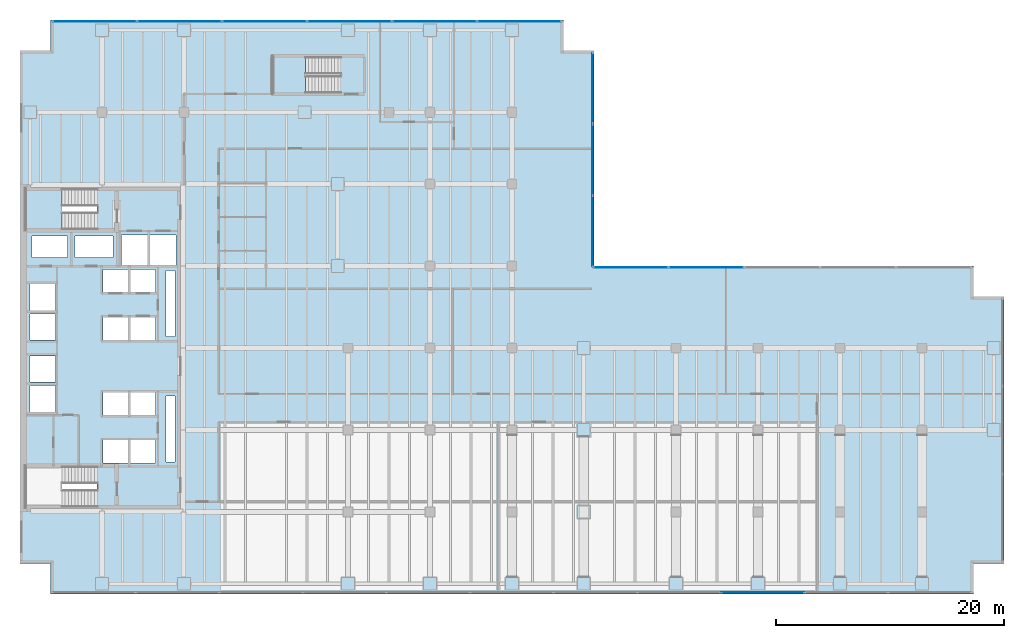
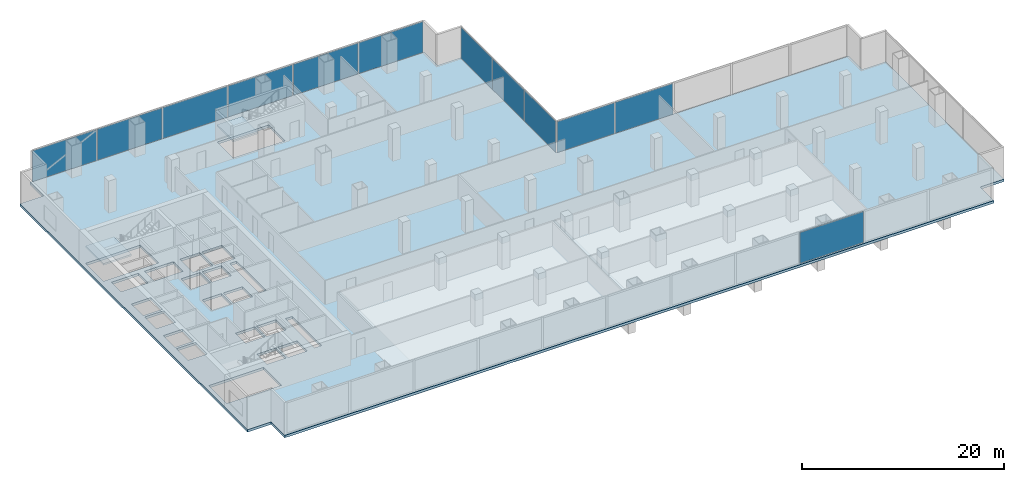
# One storey, part 24 of 34: 12 plates, 3 slabs, 21 openings, 6 elements without a shape of their own.
"""IFC4 building model written with IfcOpenShell, lengths in metres."""

from ifc_helpers import new_model, si_unit, direction, frame, origin, origin_2d, place, context, subcontext, project, spatial, polyline, rectangle, outline, extrude, material, layer, layer_set, type_object, element, aggregate, save


model = new_model("IFC4")

# Units and contexts
model_context = context("Model", 3, precision=1e-05, world=origin(), true_north=direction((0.0, 1.0)))
body_context = subcontext(model_context, "Body", "Model", "MODEL_VIEW")
ifc_project = project(units=[si_unit("LENGTHUNIT", "METRE"), si_unit("AREAUNIT", "SQUARE_METRE"), si_unit("VOLUMEUNIT", "CUBIC_METRE"), si_unit("PLANEANGLEUNIT", "RADIAN"), si_unit("MASSUNIT", "GRAM", prefix="KILO")], contexts=[model_context])

# Site, building, storey
site_placement = place(None, origin())
site = spatial("IfcSite", under=ifc_project, at=site_placement, CompositionType="ELEMENT")
building_placement = place(site_placement, origin())
building = spatial("IfcBuilding", under=site, at=building_placement, Name="Cobrela Telecom Tower", CompositionType="ELEMENT")
storey_placement = place(building_placement, frame((0.0, 0.0, 5.25)))
storey = spatial("IfcBuildingStorey", under=building, at=storey_placement, Name="L01", CompositionType="ELEMENT", Elevation=5.25)

# Curtain wall, plates
ifc_material_1 = material(Name="Anodized Bronze Aluminium 6063-T6", Category="aluminium")
curtain_wall_type = type_object("IfcCurtainWallType", Name="CW-SYS-CONC", PredefinedType="USERDEFINED", material=ifc_material_1)
curtain_wall_1_placement = place(storey_placement, origin())
curtain_wall_1 = element("IfcCurtainWall", 1, at=curtain_wall_1_placement, inside=storey, type_object=curtain_wall_type, Name="L01 Unitised Bronze Curtain Wall 07", ObjectType="UNITISED CURTAIN WALL", PredefinedType="USERDEFINED")
ifc_material_2 = material(Name="Solar-Control Bronze Low-E Glass", Category="glass")
ifc_layer_1 = layer(ifc_material_2, 0.0419921875)
ifc_layer_set_1 = layer_set([ifc_layer_1], Name="Solar-Control Bronze Low-E Glass")
plate_type = type_object("IfcPlateType", Name="CW-SYS-CONC-PNL", PredefinedType="CURTAIN_PANEL", material=ifc_layer_set_1)
plate_1_placement = place(storey_placement, frame((6.570068359375, 50.280029296875, 0.080078125), z_axis=(0.0, 0.0, 1.0), x_axis=(1.0, 0.0, 0.0)))
plate_1 = element("IfcPlate", 2, at=plate_1_placement, type_object=plate_type, Name="CW-CONC panel 1.1", PredefinedType="CURTAIN_PANEL", context=body_context, shape_type="SweptSolid", body=[
    extrude(rectangle(XDim=7.340087890625, YDim=0.0419921875, at=origin_2d()), origin(), (0.0, 0.0, 1.0), 3.739990234375),
])
plate_2_placement = place(storey_placement, frame((14.010009765625, 50.280029296875, 0.080078125), z_axis=(0.0, 0.0, 1.0), x_axis=(1.0, 0.0, 0.0)))
plate_2 = element("IfcPlate", 3, at=plate_2_placement, type_object=plate_type, Name="CW-CONC panel 2.1", PredefinedType="CURTAIN_PANEL", context=body_context, shape_type="SweptSolid", body=[
    extrude(rectangle(XDim=7.3798828125, YDim=0.0419921875, at=origin_2d()), origin(), (0.0, 0.0, 1.0), 3.739990234375),
])
plate_3_placement = place(storey_placement, frame((21.469970703125, 50.280029296875, 0.080078125), z_axis=(0.0, 0.0, 1.0), x_axis=(1.0, 0.0, 0.0)))
plate_3 = element("IfcPlate", 4, at=plate_3_placement, type_object=plate_type, Name="CW-CONC panel 3.1", PredefinedType="CURTAIN_PANEL", context=body_context, shape_type="SweptSolid", body=[
    extrude(rectangle(XDim=7.3798828125, YDim=0.0419921875, at=origin_2d()), origin(), (0.0, 0.0, 1.0), 3.739990234375),
])
plate_4_placement = place(storey_placement, frame((28.929931640625, 50.280029296875, 0.080078125), z_axis=(0.0, 0.0, 1.0), x_axis=(1.0, 0.0, 0.0)))
plate_4 = element("IfcPlate", 5, at=plate_4_placement, type_object=plate_type, Name="CW-CONC panel 4.1", PredefinedType="CURTAIN_PANEL", context=body_context, shape_type="SweptSolid", body=[
    extrude(rectangle(XDim=7.3798828125, YDim=0.0419921875, at=origin_2d()), origin(), (0.0, 0.0, 1.0), 3.739990234375),
])
plate_5_placement = place(storey_placement, frame((36.389892578125, 50.280029296875, 0.080078125), z_axis=(0.0, 0.0, 1.0), x_axis=(1.0, 0.0, 0.0)))
plate_5 = element("IfcPlate", 6, at=plate_5_placement, type_object=plate_type, Name="CW-CONC panel 5.1", PredefinedType="CURTAIN_PANEL", context=body_context, shape_type="SweptSolid", body=[
    extrude(rectangle(XDim=7.3798828125, YDim=0.0419921875, at=origin_2d()), origin(), (0.0, 0.0, 1.0), 3.739990234375),
])
plate_6_placement = place(storey_placement, frame((43.830078125, 50.280029296875, 0.080078125), z_axis=(0.0, 0.0, 1.0), x_axis=(1.0, 0.0, 0.0)))
plate_6 = element("IfcPlate", 7, at=plate_6_placement, type_object=plate_type, Name="CW-CONC panel 6.1", PredefinedType="CURTAIN_PANEL", context=body_context, shape_type="SweptSolid", body=[
    extrude(rectangle(XDim=7.340087890625, YDim=0.0419921875, at=origin_2d()), origin(), (0.0, 0.0, 1.0), 3.739990234375),
])
aggregate(curtain_wall_1, [plate_1, plate_2, plate_3, plate_4, plate_5, plate_6])

curtain_wall_2_placement = place(storey_placement, origin())
curtain_wall_2 = element("IfcCurtainWall", 8, at=curtain_wall_2_placement, inside=storey, type_object=curtain_wall_type, Name="L01 Unitised Bronze Curtain Wall 10", ObjectType="UNITISED CURTAIN WALL", PredefinedType="USERDEFINED")
plate_7_placement = place(storey_placement, frame((50.280029296875, 44.409912109375, 0.080078125), z_axis=(0.0, 0.0, 1.0), x_axis=(0.0, -1.0, 0.0)))
plate_7 = element("IfcPlate", 9, at=plate_7_placement, type_object=plate_type, Name="CW-CONC panel 1.1", PredefinedType="CURTAIN_PANEL", context=body_context, shape_type="SweptSolid", body=[
    extrude(rectangle(XDim=6.179931640625, YDim=0.0419921875, at=origin_2d()), origin(), (0.0, 0.0, 1.0), 3.739990234375),
])
plate_8_placement = place(storey_placement, frame((50.280029296875, 38.1298828125, 0.080078125), z_axis=(0.0, 0.0, 1.0), x_axis=(0.0, -1.0, 0.0)))
plate_8 = element("IfcPlate", 10, at=plate_8_placement, type_object=plate_type, Name="CW-CONC panel 2.1", PredefinedType="CURTAIN_PANEL", context=body_context, shape_type="SweptSolid", body=[
    extrude(rectangle(XDim=6.219970703125, YDim=0.0419921875, at=origin_2d()), origin(), (0.0, 0.0, 1.0), 3.739990234375),
])
plate_9_placement = place(storey_placement, frame((50.280029296875, 31.85009765625, 0.080078125), z_axis=(0.0, 0.0, 1.0), x_axis=(0.0, -1.0, 0.0)))
plate_9 = element("IfcPlate", 11, at=plate_9_placement, type_object=plate_type, Name="CW-CONC panel 3.1", PredefinedType="CURTAIN_PANEL", context=body_context, shape_type="SweptSolid", body=[
    extrude(rectangle(XDim=6.179931640625, YDim=0.0419921875, at=origin_2d()), origin(), (0.0, 0.0, 1.0), 3.739990234375),
])
aggregate(curtain_wall_2, [plate_7, plate_8, plate_9])

curtain_wall_3_placement = place(storey_placement, origin())
curtain_wall_3 = element("IfcCurtainWall", 12, at=curtain_wall_3_placement, inside=storey, type_object=curtain_wall_type, Name="L01 Unitised Bronze Curtain Wall 11", ObjectType="UNITISED CURTAIN WALL", PredefinedType="USERDEFINED")
plate_10_placement = place(storey_placement, frame((53.6298828125, 28.679931640625, 0.080078125), z_axis=(0.0, 0.0, 1.0), x_axis=(1.0, 0.0, 0.0)))
plate_10 = element("IfcPlate", 13, at=plate_10_placement, type_object=plate_type, Name="CW-CONC panel 1.1", PredefinedType="CURTAIN_PANEL", context=body_context, shape_type="SweptSolid", body=[
    extrude(rectangle(XDim=6.5400390625, YDim=0.0419921875, at=origin_2d()), origin(), (0.0, 0.0, 1.0), 3.739990234375),
])
plate_11_placement = place(storey_placement, frame((60.27001953125, 28.679931640625, 0.080078125), z_axis=(0.0, 0.0, 1.0), x_axis=(1.0, 0.0, 0.0)))
plate_11 = element("IfcPlate", 14, at=plate_11_placement, type_object=plate_type, Name="CW-CONC panel 2.1", PredefinedType="CURTAIN_PANEL", context=body_context, shape_type="SweptSolid", body=[
    extrude(rectangle(XDim=6.580078125, YDim=0.0419921875, at=origin_2d()), origin(), (0.0, 0.0, 1.0), 3.739990234375),
])
aggregate(curtain_wall_3, [plate_10, plate_11])

# Curtain wall, plate
curtain_wall_4_placement = place(storey_placement, origin())
curtain_wall_4 = element("IfcCurtainWall", 15, at=curtain_wall_4_placement, inside=storey, type_object=curtain_wall_type, Name="L01 Unitised Bronze Curtain Wall 17", ObjectType="UNITISED CURTAIN WALL", PredefinedType="USERDEFINED")
plate_12_placement = place(storey_placement, frame((65.225341796875, 0.1201171875, 0.080078125), z_axis=(0.0, 0.0, 1.0), x_axis=(-1.0, 0.0, 0.0)))
plate_12 = element("IfcPlate", 16, at=plate_12_placement, type_object=plate_type, Name="CW-CONC panel 3.1", PredefinedType="CURTAIN_PANEL", context=body_context, shape_type="SweptSolid", body=[
    extrude(rectangle(XDim=7.26171875, YDim=0.0419921875, at=origin_2d()), origin(), (0.0, 0.0, 1.0), 3.739990234375),
])
aggregate(curtain_wall_4, [plate_12])

# Slab, openings
ifc_material_3 = material(Name="Concrete C40/50", Category="concrete")
ifc_layer_2 = layer(ifc_material_3, 0.300048828125)
ifc_layer_set_2 = layer_set([ifc_layer_2], Name="Concrete C40/50")
slab_type_1 = type_object("IfcSlabType", Name="SLAB-FLR-300", PredefinedType="FLOOR", material=ifc_layer_set_2)
slab_1_placement = place(storey_placement, frame((0.0, 0.0, -0.300048828125)))
slab_1 = element("IfcSlab", 17, at=slab_1_placement, inside=storey, type_object=slab_type_1, Name="L01 Structural Floor Slab", PredefinedType="FLOOR", context=body_context, shape_type="SweptSolid", body=[
    extrude(outline(polyline([(2.699951171875, 0.0), (83.699951171875, 0.0), (83.699951171875, 2.699951171875), (86.39990234375, 2.699951171875), (86.39990234375, 26.10009765625), (83.699951171875, 26.10009765625), (83.699951171875, 28.800048828125), (50.39990234375, 28.800048828125), (50.39990234375, 47.699951171875), (47.699951171875, 47.699951171875), (47.699951171875, 50.39990234375), (2.699951171875, 50.39990234375), (2.699951171875, 47.699951171875), (0.0, 47.699951171875), (0.0, 2.699951171875), (2.699951171875, 2.699951171875), (2.699951171875, 0.0)])), origin(), (0.0, 0.0, 1.0), 0.300048828125),
])
opening_1_placement = place(slab_1_placement, frame((0.0, 0.0, -0.02001953125)))
element("IfcOpeningElement", 18, at=opening_1_placement, cuts=slab_1, Name="Slab Shaft Opening SLAB-L01-MAIN.1", PredefinedType="OPENING", context=body_context, shape_type="SweptSolid", body=[
    extrude(outline(polyline([(8.89990234375, 28.89990234375), (11.199951171875, 28.89990234375), (11.199951171875, 31.5), (8.89990234375, 31.5), (8.89990234375, 28.89990234375)])), origin(), (0.0, 0.0, 1.0), 0.340087890625),
])
opening_2_placement = place(slab_1_placement, frame((0.0, 0.0, -0.02001953125)))
element("IfcOpeningElement", 19, at=opening_2_placement, cuts=slab_1, Name="Slab Shaft Opening SLAB-L01-MAIN.2", PredefinedType="OPENING", context=body_context, shape_type="SweptSolid", body=[
    extrude(outline(polyline([(11.39990234375, 28.89990234375), (13.699951171875, 28.89990234375), (13.699951171875, 31.5), (11.39990234375, 31.5), (11.39990234375, 28.89990234375)])), origin(), (0.0, 0.0, 1.0), 0.340087890625),
])
opening_3_placement = place(slab_1_placement, frame((0.0, 0.0, -0.02001953125)))
element("IfcOpeningElement", 20, at=opening_3_placement, cuts=slab_1, Name="Slab Shaft Opening SLAB-L01-MAIN.3", PredefinedType="OPENING", context=body_context, shape_type="SweptSolid", body=[
    extrude(outline(polyline([(7.300048828125, 22.300048828125), (9.5, 22.300048828125), (9.5, 24.300048828125), (7.300048828125, 24.300048828125), (7.300048828125, 22.300048828125)])), origin(), (0.0, 0.0, 1.0), 0.340087890625),
])
opening_4_placement = place(slab_1_placement, frame((0.0, 0.0, -0.02001953125)))
element("IfcOpeningElement", 21, at=opening_4_placement, cuts=slab_1, Name="Slab Shaft Opening SLAB-L01-MAIN.4", PredefinedType="OPENING", context=body_context, shape_type="SweptSolid", body=[
    extrude(outline(polyline([(9.699951171875, 22.300048828125), (11.89990234375, 22.300048828125), (11.89990234375, 24.300048828125), (9.699951171875, 24.300048828125), (9.699951171875, 22.300048828125)])), origin(), (0.0, 0.0, 1.0), 0.340087890625),
])
opening_5_placement = place(slab_1_placement, frame((0.0, 0.0, -0.02001953125)))
element("IfcOpeningElement", 22, at=opening_5_placement, cuts=slab_1, Name="Slab Shaft Opening SLAB-L01-MAIN.5", PredefinedType="OPENING", context=body_context, shape_type="SweptSolid", body=[
    extrude(outline(polyline([(7.300048828125, 26.5), (9.5, 26.5), (9.5, 28.5), (7.300048828125, 28.5), (7.300048828125, 26.5)])), origin(), (0.0, 0.0, 1.0), 0.340087890625),
])
opening_6_placement = place(slab_1_placement, frame((0.0, 0.0, -0.02001953125)))
element("IfcOpeningElement", 23, at=opening_6_placement, cuts=slab_1, Name="Slab Shaft Opening SLAB-L01-MAIN.6", PredefinedType="OPENING", context=body_context, shape_type="SweptSolid", body=[
    extrude(outline(polyline([(9.699951171875, 26.5), (11.89990234375, 26.5), (11.89990234375, 28.5), (9.699951171875, 28.5), (9.699951171875, 26.5)])), origin(), (0.0, 0.0, 1.0), 0.340087890625),
])
opening_7_placement = place(slab_1_placement, frame((0.0, 0.0, -0.02001953125)))
element("IfcOpeningElement", 24, at=opening_7_placement, cuts=slab_1, Name="Slab Shaft Opening SLAB-L01-MAIN.7", PredefinedType="OPENING", context=body_context, shape_type="SweptSolid", body=[
    extrude(outline(polyline([(7.300048828125, 15.699951171875), (9.5, 15.699951171875), (9.5, 17.699951171875), (7.300048828125, 17.699951171875), (7.300048828125, 15.699951171875)])), origin(), (0.0, 0.0, 1.0), 0.340087890625),
])
opening_8_placement = place(slab_1_placement, frame((0.0, 0.0, -0.02001953125)))
element("IfcOpeningElement", 25, at=opening_8_placement, cuts=slab_1, Name="Slab Shaft Opening SLAB-L01-MAIN.8", PredefinedType="OPENING", context=body_context, shape_type="SweptSolid", body=[
    extrude(outline(polyline([(9.699951171875, 15.699951171875), (11.89990234375, 15.699951171875), (11.89990234375, 17.699951171875), (9.699951171875, 17.699951171875), (9.699951171875, 15.699951171875)])), origin(), (0.0, 0.0, 1.0), 0.340087890625),
])
opening_9_placement = place(slab_1_placement, frame((0.0, 0.0, -0.02001953125)))
element("IfcOpeningElement", 26, at=opening_9_placement, cuts=slab_1, Name="Slab Shaft Opening SLAB-L01-MAIN.9", PredefinedType="OPENING", context=body_context, shape_type="SweptSolid", body=[
    extrude(outline(polyline([(7.300048828125, 11.5), (9.5, 11.5), (9.5, 13.5), (7.300048828125, 13.5), (7.300048828125, 11.5)])), origin(), (0.0, 0.0, 1.0), 0.340087890625),
])
opening_10_placement = place(slab_1_placement, frame((0.0, 0.0, -0.02001953125)))
element("IfcOpeningElement", 27, at=opening_10_placement, cuts=slab_1, Name="Slab Shaft Opening SLAB-L01-MAIN.10", PredefinedType="OPENING", context=body_context, shape_type="SweptSolid", body=[
    extrude(outline(polyline([(9.699951171875, 11.5), (11.89990234375, 11.5), (11.89990234375, 13.5), (9.699951171875, 13.5), (9.699951171875, 11.5)])), origin(), (0.0, 0.0, 1.0), 0.340087890625),
])
opening_11_placement = place(slab_1_placement, frame((0.0, 0.0, -0.02001953125)))
element("IfcOpeningElement", 28, at=opening_11_placement, cuts=slab_1, Name="Slab Shaft Opening SLAB-L01-MAIN.11", PredefinedType="OPENING", context=body_context, shape_type="SweptSolid", body=[
    extrude(outline(polyline([(0.89990234375, 16.0), (3.10009765625, 16.0), (3.10009765625, 18.300048828125), (0.89990234375, 18.300048828125), (0.89990234375, 16.0)])), origin(), (0.0, 0.0, 1.0), 0.340087890625),
])
opening_12_placement = place(slab_1_placement, frame((0.0, 0.0, -0.02001953125)))
element("IfcOpeningElement", 29, at=opening_12_placement, cuts=slab_1, Name="Slab Shaft Opening SLAB-L01-MAIN.12", PredefinedType="OPENING", context=body_context, shape_type="SweptSolid", body=[
    extrude(outline(polyline([(0.89990234375, 18.60009765625), (3.10009765625, 18.60009765625), (3.10009765625, 20.89990234375), (0.89990234375, 20.89990234375), (0.89990234375, 18.60009765625)])), origin(), (0.0, 0.0, 1.0), 0.340087890625),
])
opening_13_placement = place(slab_1_placement, frame((0.0, 0.0, -0.02001953125)))
element("IfcOpeningElement", 30, at=opening_13_placement, cuts=slab_1, Name="Slab Shaft Opening SLAB-L01-MAIN.13", PredefinedType="OPENING", context=body_context, shape_type="SweptSolid", body=[
    extrude(outline(polyline([(0.89990234375, 22.300048828125), (3.10009765625, 22.300048828125), (3.10009765625, 24.60009765625), (0.89990234375, 24.60009765625), (0.89990234375, 22.300048828125)])), origin(), (0.0, 0.0, 1.0), 0.340087890625),
])
opening_14_placement = place(slab_1_placement, frame((0.0, 0.0, -0.02001953125)))
element("IfcOpeningElement", 31, at=opening_14_placement, cuts=slab_1, Name="Slab Shaft Opening SLAB-L01-MAIN.14", PredefinedType="OPENING", context=body_context, shape_type="SweptSolid", body=[
    extrude(outline(polyline([(0.89990234375, 24.89990234375), (3.10009765625, 24.89990234375), (3.10009765625, 27.199951171875), (0.89990234375, 27.199951171875), (0.89990234375, 24.89990234375)])), origin(), (0.0, 0.0, 1.0), 0.340087890625),
])
opening_15_placement = place(slab_1_placement, frame((0.0, 0.0, -0.02001953125)))
element("IfcOpeningElement", 32, at=opening_15_placement, cuts=slab_1, Name="Slab Shaft Opening SLAB-L01-MAIN.15", PredefinedType="OPENING", context=body_context, shape_type="SweptSolid", body=[
    extrude(outline(polyline([(1.050048828125, 29.550048828125), (4.14990234375, 29.550048828125), (4.14990234375, 31.449951171875), (1.050048828125, 31.449951171875), (1.050048828125, 29.550048828125)])), origin(), (0.0, 0.0, 1.0), 0.340087890625),
])
opening_16_placement = place(slab_1_placement, frame((0.0, 0.0, -0.02001953125)))
element("IfcOpeningElement", 33, at=opening_16_placement, cuts=slab_1, Name="Slab Shaft Opening SLAB-L01-MAIN.16", PredefinedType="OPENING", context=body_context, shape_type="SweptSolid", body=[
    extrude(outline(polyline([(4.85009765625, 29.550048828125), (8.14990234375, 29.550048828125), (8.14990234375, 31.449951171875), (4.85009765625, 31.449951171875), (4.85009765625, 29.550048828125)])), origin(), (0.0, 0.0, 1.0), 0.340087890625),
])
opening_17_placement = place(slab_1_placement, frame((0.0, 0.0, -0.02001953125)))
element("IfcOpeningElement", 34, at=opening_17_placement, cuts=slab_1, Name="Slab Shaft Opening SLAB-L01-MAIN.17", PredefinedType="OPENING", context=body_context, shape_type="SweptSolid", body=[
    extrude(outline(polyline([(12.800048828125, 22.60009765625), (13.60009765625, 22.60009765625), (13.60009765625, 28.39990234375), (12.800048828125, 28.39990234375), (12.800048828125, 22.60009765625)])), origin(), (0.0, 0.0, 1.0), 0.340087890625),
])
opening_18_placement = place(slab_1_placement, frame((0.0, 0.0, -0.02001953125)))
element("IfcOpeningElement", 35, at=opening_18_placement, cuts=slab_1, Name="Slab Shaft Opening SLAB-L01-MAIN.18", PredefinedType="OPENING", context=body_context, shape_type="SweptSolid", body=[
    extrude(outline(polyline([(12.800048828125, 11.60009765625), (13.60009765625, 11.60009765625), (13.60009765625, 17.39990234375), (12.800048828125, 17.39990234375), (12.800048828125, 11.60009765625)])), origin(), (0.0, 0.0, 1.0), 0.340087890625),
])
opening_19_placement = place(slab_1_placement, frame((0.0, 0.0, -0.02001953125)))
element("IfcOpeningElement", 36, at=opening_19_placement, cuts=slab_1, Name="Slab Shaft Opening SLAB-L01-MAIN.19", PredefinedType="OPENING", context=body_context, shape_type="SweptSolid", body=[
    extrude(outline(polyline([(6.7548828125, 35.550048828125), (0.47998046875, 35.550048828125), (0.47998046875, 32.0), (6.7548828125, 32.0), (6.7548828125, 35.550048828125)])), origin(), (0.0, 0.0, 1.0), 0.340087890625),
])
opening_20_placement = place(slab_1_placement, frame((0.0, 0.0, -0.02001953125)))
element("IfcOpeningElement", 37, at=opening_20_placement, cuts=slab_1, Name="Slab Shaft Opening SLAB-L01-MAIN.20", PredefinedType="OPENING", context=body_context, shape_type="SweptSolid", body=[
    extrude(outline(polyline([(6.7548828125, 11.199951171875), (0.47998046875, 11.199951171875), (0.47998046875, 7.64990234375), (6.7548828125, 7.64990234375), (6.7548828125, 11.199951171875)])), origin(), (0.0, 0.0, 1.0), 0.340087890625),
])
opening_21_placement = place(slab_1_placement, frame((0.0, 0.0, -0.02001953125)))
element("IfcOpeningElement", 38, at=opening_21_placement, cuts=slab_1, Name="Slab Shaft Opening SLAB-L01-MAIN.21", PredefinedType="OPENING", context=body_context, shape_type="SweptSolid", body=[
    extrude(outline(polyline([(28.135009765625, 47.14990234375), (22.199951171875, 47.14990234375), (22.199951171875, 44.0), (28.135009765625, 44.0), (28.135009765625, 47.14990234375)])), origin(), (0.0, 0.0, 1.0), 0.340087890625),
])

# Stair, slab
stair_type = type_object("IfcStairType", Name="STAIR-CORE", PredefinedType="HALF_TURN_STAIR", material=ifc_material_3)
stair_1_placement = place(storey_placement, origin())
stair_1 = element("IfcStair", 39, at=stair_1_placement, inside=storey, type_object=stair_type, Name="L01 Smokeproof Exit Stair ST1", PredefinedType="HALF_TURN_STAIR")
ifc_layer_3 = layer(ifc_material_3, 0.199951171875)
ifc_layer_set_3 = layer_set([ifc_layer_3], Name="Concrete C40/50")
slab_type_2 = type_object("IfcSlabType", Name="SLAB-LAND-200", PredefinedType="LANDING", material=ifc_layer_set_3)
slab_2_placement = place(storey_placement, frame((0.0, 0.0, 1.89990234375)))
slab_2 = element("IfcSlab", 40, at=slab_2_placement, type_object=slab_type_2, Name="ST1 landing 1", PredefinedType="LANDING", context=body_context, shape_type="SweptSolid", body=[
    extrude(outline(polyline([(3.68505859375, 35.550048828125), (0.47998046875, 35.550048828125), (0.47998046875, 32.0), (3.68505859375, 32.0), (3.68505859375, 35.550048828125)])), origin(), (0.0, 0.0, 1.0), 0.2001953125),
])
aggregate(stair_1, [slab_2])

stair_2_placement = place(storey_placement, origin())
stair_2 = element("IfcStair", 41, at=stair_2_placement, inside=storey, type_object=stair_type, Name="L01 Smokeproof Exit Stair ST3", PredefinedType="HALF_TURN_STAIR")
slab_3_placement = place(storey_placement, frame((0.0, 0.0, 1.89990234375)))
slab_3 = element("IfcSlab", 42, at=slab_3_placement, type_object=slab_type_2, Name="ST3 landing 1", PredefinedType="LANDING", context=body_context, shape_type="SweptSolid", body=[
    extrude(outline(polyline([(25.06494140625, 47.14990234375), (22.199951171875, 47.14990234375), (22.199951171875, 44.0), (25.06494140625, 44.0), (25.06494140625, 47.14990234375)])), origin(), (0.0, 0.0, 1.0), 0.2001953125),
])
aggregate(stair_2, [slab_3])

save(model, "model.ifc")
